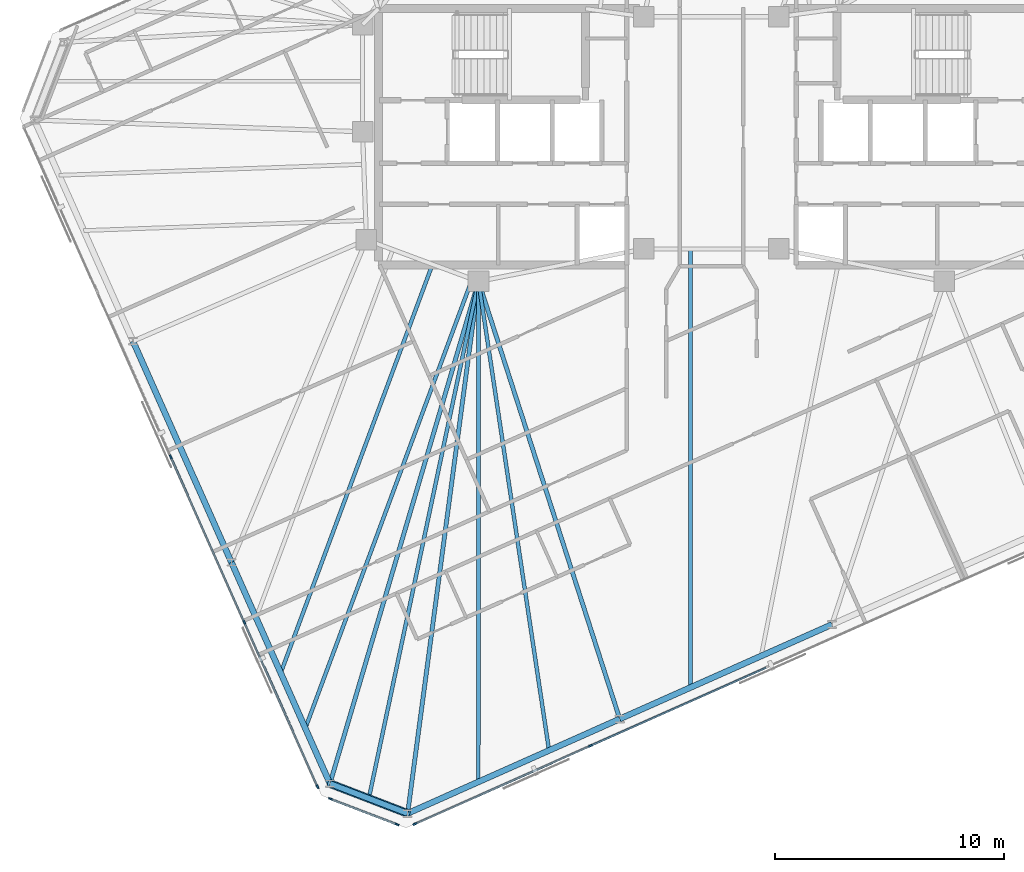
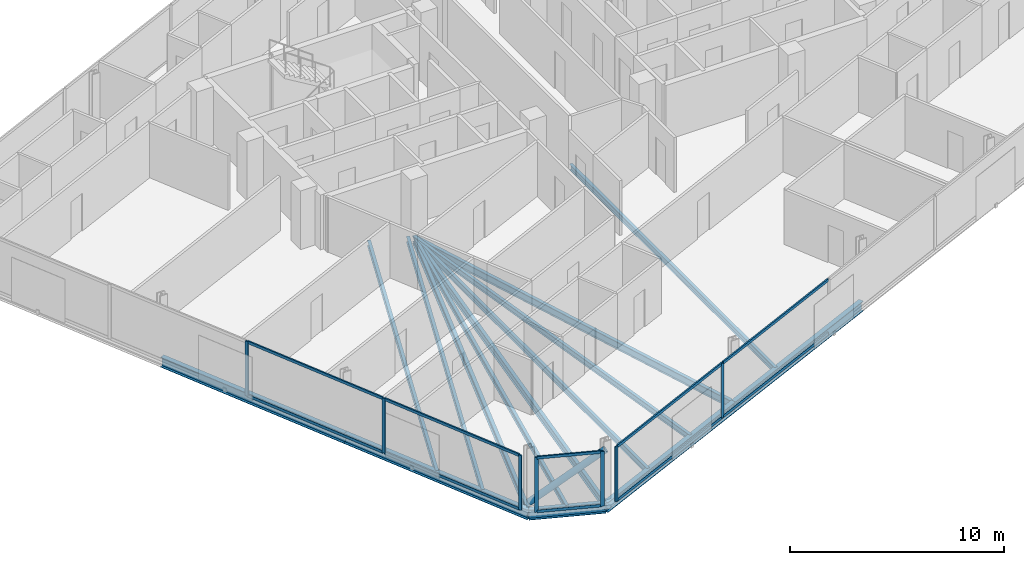
# One storey, part 5 of 19: 18 members, 14 beams, 3 elements without a shape of their own.
"""IFC4 building model written with IfcOpenShell, lengths in metres."""

from ifc_helpers import new_model, si_unit, direction, frame, origin, origin_2d, place, context, subcontext, project, spatial, rectangle, hollow_circle, i_section, extrude, material, material_profile, profile_set, type_object, element, aggregate, save


model = new_model("IFC4")

# Units and contexts
model_context = context("Model", 3, precision=1e-05, world=origin(), true_north=direction((0.0, 1.0)))
body_context = subcontext(model_context, "Body", "Model", "MODEL_VIEW")
ifc_project = project(units=[si_unit("LENGTHUNIT", "METRE"), si_unit("AREAUNIT", "SQUARE_METRE"), si_unit("VOLUMEUNIT", "CUBIC_METRE"), si_unit("PLANEANGLEUNIT", "RADIAN"), si_unit("MASSUNIT", "GRAM", prefix="KILO")], contexts=[model_context])

# Site, building, storey
site_placement = place(None, origin())
site = spatial("IfcSite", under=ifc_project, at=site_placement, CompositionType="ELEMENT")
building_placement = place(site_placement, origin())
building = spatial("IfcBuilding", under=site, at=building_placement, Name="Menara Jurai Vektor", CompositionType="ELEMENT")
storey_placement = place(building_placement, frame((0.0, 0.0, 291.949951171875)))
storey = spatial("IfcBuildingStorey", under=building, at=storey_placement, Name="L78", CompositionType="ELEMENT", Elevation=291.949951171875)

# Curtain wall, members
ifc_material_1 = material(Name="Anodised Pale Aluminium & Low-E Double Glazing", Category="aluminium")
curtain_wall_type = type_object("IfcCurtainWallType", Name="CW-BLK5", PredefinedType="NOTDEFINED", material=ifc_material_1)
curtain_wall_1_placement = place(storey_placement, origin())
curtain_wall_1 = element("IfcCurtainWall", 1, at=curtain_wall_1_placement, inside=storey, type_object=curtain_wall_type, Name="Unitised Curtain Wall L78 F01", PredefinedType="NOTDEFINED")
ifc_material_2 = material(Name="Anodised Pale Aluminium Mullion", Category="aluminium")
ifc_material_profile_1 = material_profile(ifc_material_2, rectangle(XDim=0.074951171875, YDim=0.175048828125, at=origin_2d()), Name="ALU MUL 75x175")
ifc_profile_set_1 = profile_set([ifc_material_profile_1], Name="Anodised Pale Aluminium Mullion")
member_type_1 = type_object("IfcMemberType", Name="CW-BLK5-MUL", PredefinedType="MULLION", material=ifc_profile_set_1)
member_1_placement = place(storey_placement, frame((-12.96875, -30.04052734375, 0.0), z_axis=(0.0, 0.0, 1.0), x_axis=(-0.406735498684, 0.913545967158, 0.0)))
member_1 = element("IfcMember", 2, at=member_1_placement, type_object=member_type_1, Name="CW-05 mullion 1", PredefinedType="MULLION", context=body_context, shape_type="SweptSolid", body=[
    extrude(rectangle(XDim=0.074951171875, YDim=0.175048828125, at=origin_2d()), origin(), (0.0, 0.0, 1.0), 3.125),
])
member_2_placement = place(storey_placement, frame((-5.292724609375, -26.623046875, 0.0), z_axis=(0.0, 0.0, 1.0), x_axis=(-0.406735498684, 0.913545967158, 0.0)))
member_2 = element("IfcMember", 3, at=member_2_placement, type_object=member_type_1, Name="CW-05 mullion 2", PredefinedType="MULLION", context=body_context, shape_type="SweptSolid", body=[
    extrude(rectangle(XDim=0.074951171875, YDim=0.175048828125, at=origin_2d()), origin(), (0.0, 0.0, 1.0), 3.125),
])

curtain_wall_2_placement = place(storey_placement, origin())
curtain_wall_2 = element("IfcCurtainWall", 4, at=curtain_wall_2_placement, inside=storey, type_object=curtain_wall_type, Name="Unitised Curtain Wall L78 F07", PredefinedType="NOTDEFINED")
member_3_placement = place(storey_placement, frame((-23.635986328125, -13.991943359375, 0.0), z_axis=(0.0, 0.0, 1.0), x_axis=(0.913546127706, 0.406735138086, 0.0)))
member_3 = element("IfcMember", 5, at=member_3_placement, type_object=member_type_1, Name="CW-05 mullion 3", PredefinedType="MULLION", context=body_context, shape_type="SweptSolid", body=[
    extrude(rectangle(XDim=0.074951171875, YDim=0.175048828125, at=origin_2d()), origin(), (0.0, 0.0, 1.0), 3.125),
])
member_4_placement = place(storey_placement, frame((-20.418701171875, -21.21826171875, 0.0), z_axis=(0.0, 0.0, 1.0), x_axis=(0.913546127706, 0.406735138086, 0.0)))
member_4 = element("IfcMember", 6, at=member_4_placement, type_object=member_type_1, Name="CW-05 mullion 4", PredefinedType="MULLION", context=body_context, shape_type="SweptSolid", body=[
    extrude(rectangle(XDim=0.074951171875, YDim=0.175048828125, at=origin_2d()), origin(), (0.0, 0.0, 1.0), 3.125),
])
member_5_placement = place(storey_placement, frame((-17.216796875, -28.41015625, 0.0), z_axis=(0.0, 0.0, 1.0), x_axis=(0.913546127706, 0.406735138086, 0.0)))
member_5 = element("IfcMember", 7, at=member_5_placement, type_object=member_type_1, Name="CW-05 mullion 5", PredefinedType="MULLION", context=body_context, shape_type="SweptSolid", body=[
    extrude(rectangle(XDim=0.074951171875, YDim=0.175048828125, at=origin_2d()), origin(), (0.0, 0.0, 1.0), 3.125),
])

curtain_wall_3_placement = place(storey_placement, origin())
curtain_wall_3 = element("IfcCurtainWall", 8, at=curtain_wall_3_placement, inside=storey, type_object=curtain_wall_type, Name="Unitised Curtain Wall L78 F08", PredefinedType="NOTDEFINED")
member_6_placement = place(storey_placement, frame((-16.656982421875, -28.94091796875, 0.0), z_axis=(0.0, 0.0, 1.0), x_axis=(0.358373766287, 0.933578193639, 0.0)))
member_6 = element("IfcMember", 9, at=member_6_placement, type_object=member_type_1, Name="CW-05 mullion 1", PredefinedType="MULLION", context=body_context, shape_type="SweptSolid", body=[
    extrude(rectangle(XDim=0.074951171875, YDim=0.175048828125, at=origin_2d()), origin(), (0.0, 0.0, 1.0), 3.125),
])
member_7_placement = place(storey_placement, frame((-13.739990234375, -30.060791015625, 0.0), z_axis=(0.0, 0.0, 1.0), x_axis=(0.358373766287, 0.933578193639, 0.0)))
member_7 = element("IfcMember", 10, at=member_7_placement, type_object=member_type_1, Name="CW-05 mullion 2", PredefinedType="MULLION", context=body_context, shape_type="SweptSolid", body=[
    extrude(rectangle(XDim=0.074951171875, YDim=0.175048828125, at=origin_2d()), origin(), (0.0, 0.0, 1.0), 3.125),
])

# Member
ifc_material_3 = material(Name="Anodised Pale Aluminium Transom", Category="aluminium")
ifc_material_profile_2 = material_profile(ifc_material_3, rectangle(XDim=0.074951171875, YDim=0.155029296875, at=origin_2d()), Name="ALU TRN 75x155")
ifc_profile_set_2 = profile_set([ifc_material_profile_2], Name="Anodised Pale Aluminium Transom")
member_type_2 = type_object("IfcMemberType", Name="CW-BLK5-TRN", PredefinedType="USERDEFINED", material=ifc_profile_set_2)
member_8_placement = place(storey_placement, frame((-12.9345703125, -30.025390625, 0.03759765625), z_axis=(0.913542963736, 0.406742244436, 0.0), x_axis=(-0.406742244436, 0.913542963736, 0.0)))
member_8 = element("IfcMember", 11, at=member_8_placement, type_object=member_type_2, Name="CW-05 transom 1.1", ObjectType="TRANSOM", PredefinedType="USERDEFINED", context=body_context, shape_type="SweptSolid", body=[
    extrude(rectangle(XDim=0.074951171875, YDim=0.155029296875, at=origin_2d()), origin(), (0.0, 0.0, 1.0), 8.32763671875),
])

member_9_placement = place(storey_placement, frame((-12.9345703125, -30.025390625, 3.087646484375), z_axis=(0.913542963736, 0.406742244436, 0.0), x_axis=(-0.406742244436, 0.913542963736, 0.0)))
member_9 = element("IfcMember", 12, at=member_9_placement, type_object=member_type_2, Name="CW-05 transom 1.2", ObjectType="TRANSOM", PredefinedType="USERDEFINED", context=body_context, shape_type="SweptSolid", body=[
    extrude(rectangle(XDim=0.074951171875, YDim=0.155029296875, at=origin_2d()), origin(), (0.0, 0.0, 1.0), 8.32763671875),
])

member_10_placement = place(storey_placement, frame((-5.25830078125, -26.60791015625, 0.03759765625), z_axis=(0.913541747007, 0.406744977198, 0.0), x_axis=(-0.406744977198, 0.913541747007, 0.0)))
member_10 = element("IfcMember", 13, at=member_10_placement, type_object=member_type_2, Name="CW-05 transom 2.1", ObjectType="TRANSOM", PredefinedType="USERDEFINED", context=body_context, shape_type="SweptSolid", body=[
    extrude(rectangle(XDim=0.074951171875, YDim=0.155029296875, at=origin_2d()), origin(), (0.0, 0.0, 1.0), 8.36474609375),
])

member_11_placement = place(storey_placement, frame((-5.25830078125, -26.60791015625, 3.087646484375), z_axis=(0.913541747007, 0.406744977198, 0.0), x_axis=(-0.406744977198, 0.913541747007, 0.0)))
member_11 = element("IfcMember", 14, at=member_11_placement, type_object=member_type_2, Name="CW-05 transom 2.2", ObjectType="TRANSOM", PredefinedType="USERDEFINED", context=body_context, shape_type="SweptSolid", body=[
    extrude(rectangle(XDim=0.074951171875, YDim=0.155029296875, at=origin_2d()), origin(), (0.0, 0.0, 1.0), 8.36474609375),
])

aggregate(curtain_wall_1, [member_1, member_2, member_8, member_9, member_10, member_11])

member_12_placement = place(storey_placement, frame((-23.620849609375, -14.0263671875, 0.03759765625), z_axis=(0.40674264085, -0.913542787238, 0.0), x_axis=(0.913542787238, 0.40674264085, 0.0)))
member_12 = element("IfcMember", 15, at=member_12_placement, type_object=member_type_2, Name="CW-05 transom 3.1", ObjectType="TRANSOM", PredefinedType="USERDEFINED", context=body_context, shape_type="SweptSolid", body=[
    extrude(rectangle(XDim=0.074951171875, YDim=0.155029296875, at=origin_2d()), origin(), (0.0, 0.0, 1.0), 7.8349609375),
])

member_13_placement = place(storey_placement, frame((-23.620849609375, -14.0263671875, 3.087646484375), z_axis=(0.40674264085, -0.913542787238, 0.0), x_axis=(0.913542787238, 0.40674264085, 0.0)))
member_13 = element("IfcMember", 16, at=member_13_placement, type_object=member_type_2, Name="CW-05 transom 3.2", ObjectType="TRANSOM", PredefinedType="USERDEFINED", context=body_context, shape_type="SweptSolid", body=[
    extrude(rectangle(XDim=0.074951171875, YDim=0.155029296875, at=origin_2d()), origin(), (0.0, 0.0, 1.0), 7.8349609375),
])

member_14_placement = place(storey_placement, frame((-20.403564453125, -21.25244140625, 0.03759765625), z_axis=(0.406751345283, -0.913538911656, 0.0), x_axis=(0.913538911656, 0.406751345283, 0.0)))
member_14 = element("IfcMember", 17, at=member_14_placement, type_object=member_type_2, Name="CW-05 transom 4.1", ObjectType="TRANSOM", PredefinedType="USERDEFINED", context=body_context, shape_type="SweptSolid", body=[
    extrude(rectangle(XDim=0.074951171875, YDim=0.155029296875, at=origin_2d()), origin(), (0.0, 0.0, 1.0), 7.79736328125),
])

member_15_placement = place(storey_placement, frame((-20.403564453125, -21.25244140625, 3.087646484375), z_axis=(0.406751345283, -0.913538911656, 0.0), x_axis=(0.913538911656, 0.406751345283, 0.0)))
member_15 = element("IfcMember", 18, at=member_15_placement, type_object=member_type_2, Name="CW-05 transom 4.2", ObjectType="TRANSOM", PredefinedType="USERDEFINED", context=body_context, shape_type="SweptSolid", body=[
    extrude(rectangle(XDim=0.074951171875, YDim=0.155029296875, at=origin_2d()), origin(), (0.0, 0.0, 1.0), 7.79736328125),
])

aggregate(curtain_wall_2, [member_3, member_4, member_5, member_12, member_13, member_14, member_15])

member_16_placement = place(storey_placement, frame((-16.6220703125, -28.95458984375, 0.03759765625), z_axis=(0.933597094911, -0.358324523823, 0.0), x_axis=(0.358324523823, 0.933597094911, 0.0)))
member_16 = element("IfcMember", 19, at=member_16_placement, type_object=member_type_2, Name="CW-05 transom 1.1", ObjectType="TRANSOM", PredefinedType="USERDEFINED", context=body_context, shape_type="SweptSolid", body=[
    extrude(rectangle(XDim=0.074951171875, YDim=0.155029296875, at=origin_2d()), origin(), (0.0, 0.0, 1.0), 3.049560546875),
])

member_17_placement = place(storey_placement, frame((-16.6220703125, -28.95458984375, 3.087646484375), z_axis=(0.933597094911, -0.358324523823, 0.0), x_axis=(0.358324523823, 0.933597094911, 0.0)))
member_17 = element("IfcMember", 20, at=member_17_placement, type_object=member_type_2, Name="CW-05 transom 1.2", ObjectType="TRANSOM", PredefinedType="USERDEFINED", context=body_context, shape_type="SweptSolid", body=[
    extrude(rectangle(XDim=0.074951171875, YDim=0.155029296875, at=origin_2d()), origin(), (0.0, 0.0, 1.0), 3.049560546875),
])

aggregate(curtain_wall_3, [member_6, member_7, member_16, member_17])

# Beams
ifc_material_4 = material(Name="Steel S355", Category="steel")
ifc_material_profile_3 = material_profile(ifc_material_4, i_section(OverallWidth=0.18505859375, OverallDepth=0.429931640625, WebThickness=0.010986328125, FlangeThickness=0.01806640625, at=origin_2d()), Name="PG 430x185x76")
ifc_profile_set_3 = profile_set([ifc_material_profile_3], Name="Steel S355")
beam_type_1 = type_object("IfcBeamType", Name="STR-BM-430", PredefinedType="BEAM", material=ifc_profile_set_3)
beam_1_placement = place(storey_placement, frame((-13.279541015625, -29.576904296875, -0.43994140625), z_axis=(0.132109192855, 0.991235169454, 0.0), x_axis=(-0.991235169454, 0.132109192855, 0.0)))
element("IfcBeam", 21, at=beam_1_placement, inside=storey, type_object=beam_type_1, Name="Radial Floor Girder L78-S1", PredefinedType="BEAM", context=body_context, shape_type="SweptSolid", body=[
    extrude(i_section(OverallWidth=0.18505859375, OverallDepth=0.429931640625, WebThickness=0.010986328125, FlangeThickness=0.01806640625, at=origin_2d()), origin(), (0.0, 0.0, 1.0), 23.46240234375),
])
beam_2_placement = place(storey_placement, frame((-4.006103515625, -25.4482421875, -0.43994140625), z_axis=(-0.307158217721, 0.95165846252, 0.0), x_axis=(-0.95165846252, -0.307158217721, 0.0)))
element("IfcBeam", 22, at=beam_2_placement, inside=storey, type_object=beam_type_1, Name="Radial Floor Girder L78-S2", PredefinedType="BEAM", context=body_context, shape_type="SweptSolid", body=[
    extrude(i_section(OverallWidth=0.18505859375, OverallDepth=0.429931640625, WebThickness=0.010986328125, FlangeThickness=0.01806640625, at=origin_2d()), origin(), (0.0, 0.0, 1.0), 20.099853515625),
])
beam_3_placement = place(storey_placement, frame((-16.675537109375, -28.2734375, -0.43994140625), z_axis=(0.283723047838, 0.958906268686, 0.0), x_axis=(-0.958906268686, 0.283723047838, 0.0)))
element("IfcBeam", 23, at=beam_3_placement, inside=storey, type_object=beam_type_1, Name="Radial Floor Girder L78-W4", PredefinedType="BEAM", context=body_context, shape_type="SweptSolid", body=[
    extrude(i_section(OverallWidth=0.18505859375, OverallDepth=0.429931640625, WebThickness=0.010986328125, FlangeThickness=0.01806640625, at=origin_2d()), origin(), (0.0, 0.0, 1.0), 22.894287109375),
])

# Member
ifc_material_5 = material(Name="Steel S460", Category="steel")
ifc_material_profile_4 = material_profile(ifc_material_5, hollow_circle(Radius=0.177734375, WallThickness=0.01611328125, at=origin_2d()), Name="CHS 355.6x16")
ifc_profile_set_4 = profile_set([ifc_material_profile_4], Name="Steel S460")
member_type_3 = type_object("IfcMemberType", Name="STR-BR-356", PredefinedType="BRACE", material=ifc_profile_set_4)
member_18_placement = place(storey_placement, frame((-16.675537109375, -28.2734375, 0.150146484375), z_axis=(0.757054002265, -0.290575939475, 0.585179340931), x_axis=(0.358335850414, 0.933592747566, 0.0)))
element("IfcMember", 24, at=member_18_placement, inside=storey, type_object=member_type_3, Name="Exoskeleton Corner Brace L78-4", PredefinedType="BRACE", context=body_context, shape_type="SweptSolid", body=[
    extrude(hollow_circle(Radius=0.177734375, WallThickness=0.01611328125, at=origin_2d()), origin(), (0.0, 0.0, 1.0), 4.48583984375),
])

# Beams
ifc_material_profile_5 = material_profile(ifc_material_4, i_section(OverallWidth=0.1650390625, OverallDepth=0.330078125, WebThickness=0.009033203125, FlangeThickness=0.013916015625, at=origin_2d()), Name="PG 330x165x46")
ifc_profile_set_5 = profile_set([ifc_material_profile_5], Name="Steel S355")
beam_type_2 = type_object("IfcBeamType", Name="STR-JS-330", PredefinedType="JOIST", material=ifc_profile_set_5)
beam_4_placement = place(storey_placement, frame((-10.188232421875, -28.20068359375, -0.389892578125), z_axis=(0.000379366876, 0.99999992804, 0.0), x_axis=(-0.99999992804, 0.000379366876, 0.0)))
element("IfcBeam", 25, at=beam_4_placement, inside=storey, type_object=beam_type_2, Name="Radial Secondary Floor Joist L78-JS01", PredefinedType="JOIST", context=body_context, shape_type="SweptSolid", body=[
    extrude(i_section(OverallWidth=0.1650390625, OverallDepth=0.330078125, WebThickness=0.009033203125, FlangeThickness=0.013916015625, at=origin_2d()), origin(), (0.0, 0.0, 1.0), 21.880615234375),
])
beam_5_placement = place(storey_placement, frame((-7.09716796875, -26.824462890625, -0.389892578125), z_axis=(-0.148675540239, 0.988886031722, 0.0), x_axis=(-0.988886031722, -0.148675540239, 0.0)))
element("IfcBeam", 26, at=beam_5_placement, inside=storey, type_object=beam_type_2, Name="Radial Secondary Floor Joist L78-JS02", PredefinedType="JOIST", context=body_context, shape_type="SweptSolid", body=[
    extrude(i_section(OverallWidth=0.1650390625, OverallDepth=0.330078125, WebThickness=0.009033203125, FlangeThickness=0.013916015625, at=origin_2d()), origin(), (0.0, 0.0, 1.0), 20.73486328125),
])
beam_6_placement = place(storey_placement, frame((-0.914794921875, -24.072021484375, -0.389892578125), z_axis=(0.0, 1.0, 0.0), x_axis=(-1.0, 0.0, 0.0)))
element("IfcBeam", 27, at=beam_6_placement, inside=storey, type_object=beam_type_2, Name="Radial Secondary Floor Joist L78-JS03", PredefinedType="JOIST", context=body_context, shape_type="SweptSolid", body=[
    extrude(i_section(OverallWidth=0.1650390625, OverallDepth=0.330078125, WebThickness=0.009033203125, FlangeThickness=0.013916015625, at=origin_2d()), origin(), (0.0, 0.0, 1.0), 19.172119140625),
])
beam_7_placement = place(storey_placement, frame((-18.828125, -23.4384765625, -0.389892578125), z_axis=(0.348177845571, 0.937428497462, 0.0), x_axis=(-0.937428497462, 0.348177845571, 0.0)))
element("IfcBeam", 28, at=beam_7_placement, inside=storey, type_object=beam_type_2, Name="Radial Secondary Floor Joist L78-JS29", PredefinedType="JOIST", context=body_context, shape_type="SweptSolid", body=[
    extrude(i_section(OverallWidth=0.1650390625, OverallDepth=0.330078125, WebThickness=0.009033203125, FlangeThickness=0.013916015625, at=origin_2d()), origin(), (0.0, 0.0, 1.0), 19.05859375),
])
beam_8_placement = place(storey_placement, frame((-17.751953125, -25.85595703125, -0.389892578125), z_axis=(0.348185651823, 0.937425598042, 0.0), x_axis=(-0.937425598042, 0.348185651823, 0.0)))
element("IfcBeam", 29, at=beam_8_placement, inside=storey, type_object=beam_type_2, Name="Radial Secondary Floor Joist L78-JS30", PredefinedType="JOIST", context=body_context, shape_type="SweptSolid", body=[
    extrude(i_section(OverallWidth=0.1650390625, OverallDepth=0.330078125, WebThickness=0.009033203125, FlangeThickness=0.013916015625, at=origin_2d()), origin(), (0.0, 0.0, 1.0), 20.949951171875),
])
beam_9_placement = place(storey_placement, frame((-14.9775390625, -28.92529296875, -0.389892578125), z_axis=(0.207610208592, 0.978211634202, 0.0), x_axis=(-0.978211634202, 0.207610208592, 0.0)))
element("IfcBeam", 30, at=beam_9_placement, inside=storey, type_object=beam_type_2, Name="Radial Secondary Floor Joist L78-JS31", PredefinedType="JOIST", context=body_context, shape_type="SweptSolid", body=[
    extrude(i_section(OverallWidth=0.1650390625, OverallDepth=0.330078125, WebThickness=0.009033203125, FlangeThickness=0.013916015625, at=origin_2d()), origin(), (0.0, 0.0, 1.0), 23.108642578125),
])
ifc_material_profile_6 = material_profile(ifc_material_4, i_section(OverallWidth=0.260009765625, OverallDepth=0.570068359375, WebThickness=0.013916015625, FlangeThickness=0.02392578125, at=origin_2d()), Name="PG 570x260x145")
ifc_profile_set_6 = profile_set([ifc_material_profile_6], Name="Steel S355")
beam_type_3 = type_object("IfcBeamType", Name="STR-SP-570", PredefinedType="SPANDREL", material=ifc_profile_set_6)
beam_10_placement = place(storey_placement, frame((-13.279541015625, -29.576904296875, -0.510009765625), z_axis=(0.913550519143, 0.406725274569, 0.0), x_axis=(-0.406725274569, 0.913550519143, 0.0)))
element("IfcBeam", 31, at=beam_10_placement, inside=storey, type_object=beam_type_3, Name="Exoskeleton Spandrel Beam L78-01", PredefinedType="SPANDREL", context=body_context, shape_type="SweptSolid", body=[
    extrude(i_section(OverallWidth=0.260009765625, OverallDepth=0.570068359375, WebThickness=0.013916015625, FlangeThickness=0.02392578125, at=origin_2d()), origin(), (0.0, 0.0, 1.0), 10.15087890625),
])
beam_11_placement = place(storey_placement, frame((-4.006103515625, -25.4482421875, -0.510009765625), z_axis=(0.913545561407, 0.406736410017, 0.0), x_axis=(-0.406736410017, 0.913545561407, 0.0)))
element("IfcBeam", 32, at=beam_11_placement, inside=storey, type_object=beam_type_3, Name="Exoskeleton Spandrel Beam L78-02", PredefinedType="SPANDREL", context=body_context, shape_type="SweptSolid", body=[
    extrude(i_section(OverallWidth=0.260009765625, OverallDepth=0.570068359375, WebThickness=0.013916015625, FlangeThickness=0.02392578125, at=origin_2d()), origin(), (0.0, 0.0, 1.0), 10.1513671875),
])
for number, where, z_axis, x_axis, name in (
    (33, (-25.286376953125, -8.933349609375, -0.510009765625), (0.406744000616, -0.913542181819, 0.0), (0.913542181819, 0.406744000616, 0.0), "Exoskeleton Spandrel Beam L78-18"),
    (34, (-20.98095703125, -18.603271484375, -0.510009765625), (0.40673543049, -0.91354599752, 0.0), (0.91354599752, 0.40673543049, 0.0), "Exoskeleton Spandrel Beam L78-19"),
):
    element("IfcBeam", number, at=place(storey_placement, frame(where, z_axis=z_axis, x_axis=x_axis)), inside=storey, type_object=beam_type_3, Name=name, PredefinedType="SPANDREL", context=body_context, shape_type="SweptSolid", body=[
        extrude(i_section(OverallWidth=0.260009765625, OverallDepth=0.570068359375, WebThickness=0.013916015625, FlangeThickness=0.02392578125, at=origin_2d()), origin(), (0.0, 0.0, 1.0), 10.585205078125),
    ])
beam_12_placement = place(storey_placement, frame((-16.675537109375, -28.2734375, -0.510009765625), z_axis=(0.933592747566, -0.358335850414, 0.0), x_axis=(0.358335850414, 0.933592747566, 0.0)))
element("IfcBeam", 35, at=beam_12_placement, inside=storey, type_object=beam_type_3, Name="Exoskeleton Spandrel Beam L78-20", PredefinedType="SPANDREL", context=body_context, shape_type="SweptSolid", body=[
    extrude(i_section(OverallWidth=0.260009765625, OverallDepth=0.570068359375, WebThickness=0.013916015625, FlangeThickness=0.02392578125, at=origin_2d()), origin(), (0.0, 0.0, 1.0), 3.637451171875),
])

save(model, "model.ifc")
